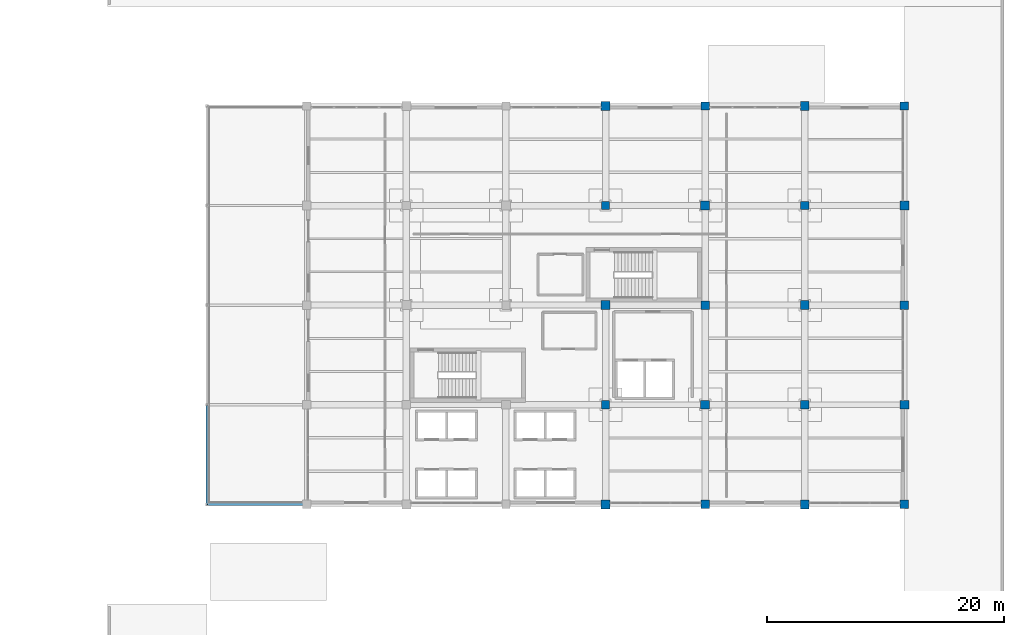
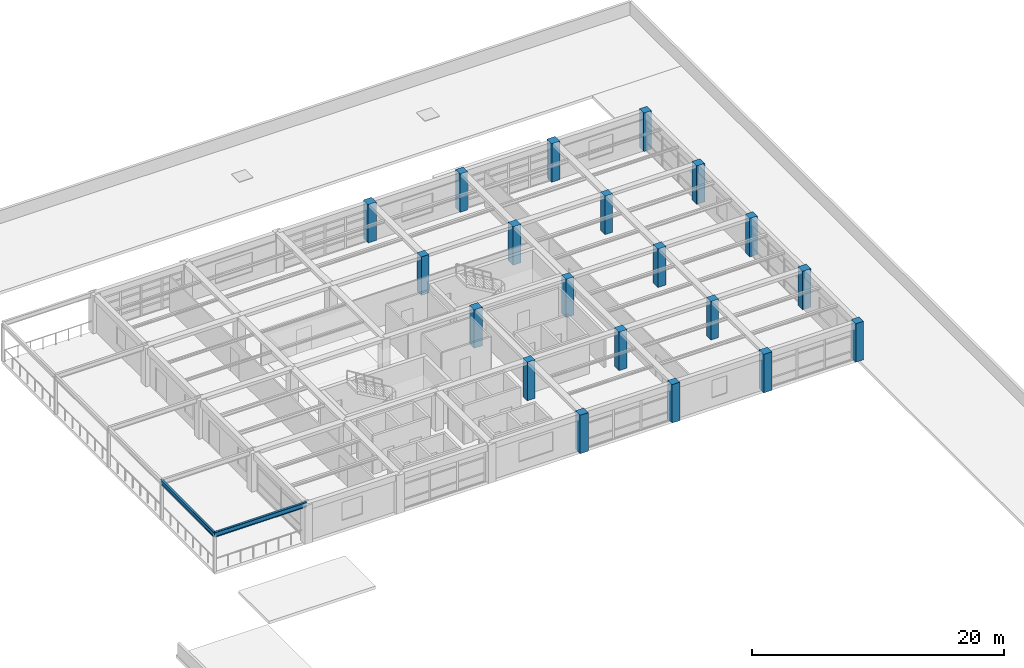
# One storey, part 4 of 35: 20 columns, 2 beams.
"""IFC4 building model written with IfcOpenShell, lengths in metres."""

from ifc_helpers import new_model, si_unit, direction, frame, origin, origin_2d, place, context, subcontext, project, spatial, rectangle, i_section, extrude, material, material_profile, profile_set, type_object, element, save


model = new_model("IFC4")

# Units and contexts
model_context = context("Model", 3, precision=1e-05, world=origin(), true_north=direction((0.0, 1.0)))
body_context = subcontext(model_context, "Body", "Model", "MODEL_VIEW")
ifc_project = project(units=[si_unit("LENGTHUNIT", "METRE"), si_unit("AREAUNIT", "SQUARE_METRE"), si_unit("VOLUMEUNIT", "CUBIC_METRE"), si_unit("PLANEANGLEUNIT", "RADIAN"), si_unit("MASSUNIT", "GRAM", prefix="KILO")], contexts=[model_context])

# Site, building, storey
site_placement = place(None, origin())
site = spatial("IfcSite", under=ifc_project, at=site_placement, CompositionType="ELEMENT")
building_placement = place(site_placement, origin())
building = spatial("IfcBuilding", under=site, at=building_placement, Name="Almacenes y Pasaje Nevantli", CompositionType="ELEMENT")
storey_placement = place(building_placement, frame((0.0, 0.0, 26.699951171875)))
storey = spatial("IfcBuildingStorey", under=building, at=storey_placement, Name="L06", CompositionType="ELEMENT", Elevation=26.699951171875)

# Columns
ifc_material_1 = material(Name="Concrete C45/55", Category="concrete")
ifc_material_profile_1 = material_profile(ifc_material_1, rectangle(XDim=0.699951171875, YDim=0.699951171875, at=origin_2d()), Name="RC-COL-700x700")
ifc_profile_set_1 = profile_set([ifc_material_profile_1], Name="Concrete C45/55")
column_type_1 = type_object("IfcColumnType", Name="COL-RC-700", PredefinedType="COLUMN", material=ifc_profile_set_1)
for number, where, z_axis, x_axis, name in (
    (1, (134.39990234375, 75.60009765625, 0.0), (0.0, 0.0, 1.0), (1.0, 0.0, 0.0), "L06 Reinforced Concrete Column CL-06 #2082"),
    (2, (134.39990234375, 92.39990234375, 0.0), (0.0, 0.0, 1.0), (1.0, 0.0, 0.0), "L06 Reinforced Concrete Column CL-06 #2084"),
    (3, (142.800048828125, 67.199951171875, 0.0), (0.0, 0.0, 1.0), (1.0, 0.0, 0.0), "L06 Reinforced Concrete Column CL-06 #2086"),
    (4, (142.800048828125, 84.0, 0.0), (0.0, 0.0, 1.0), (1.0, 0.0, 0.0), "L06 Reinforced Concrete Column CL-06 #2088"),
    (5, (142.800048828125, 100.800048828125, 0.0), (0.0, 0.0, 1.0), (1.0, 0.0, 0.0), "L06 Reinforced Concrete Column CL-06 #2090"),
    (6, (151.199951171875, 75.60009765625, 0.0), (0.0, 0.0, 1.0), (1.0, 0.0, 0.0), "L06 Reinforced Concrete Column CL-06 #2092"),
    (7, (151.199951171875, 92.39990234375, 0.0), (0.0, 0.0, 1.0), (1.0, 0.0, 0.0), "L06 Reinforced Concrete Column CL-06 #2094"),
    (8, (159.60009765625, 67.199951171875, 0.0), (0.0, 0.0, 1.0), (1.0, 0.0, 0.0), "L06 Reinforced Concrete Column CL-06 #2096"),
    (9, (159.60009765625, 84.0, 0.0), (0.0, 0.0, 1.0), (1.0, 0.0, 0.0), "L06 Reinforced Concrete Column CL-06 #2098"),
    (10, (159.60009765625, 100.800048828125, 0.0), (0.0, 0.0, 1.0), (1.0, 0.0, 0.0), "L06 Reinforced Concrete Column CL-06 #2100"),
):
    element("IfcColumn", number, at=place(storey_placement, frame(where, z_axis=z_axis, x_axis=x_axis)), inside=storey, type_object=column_type_1, Name=name, PredefinedType="COLUMN", context=body_context, shape_type="SweptSolid", body=[
        extrude(rectangle(XDim=0.699951171875, YDim=0.699951171875, at=origin_2d()), origin(), (0.0, 0.0, 1.0), 3.719970703125),
    ])
ifc_material_2 = material(Name="Concrete C45/55", Category="concrete")
ifc_material_profile_2 = material_profile(ifc_material_2, rectangle(XDim=0.75, YDim=0.75, at=origin_2d()), Name="RC-COL-750x750")
ifc_profile_set_2 = profile_set([ifc_material_profile_2], Name="Concrete C45/55")
column_type_2 = type_object("IfcColumnType", Name="COL-RC-750", PredefinedType="COLUMN", material=ifc_profile_set_2)
for number, where, z_axis, x_axis, name in (
    (11, (134.39990234375, 67.199951171875, 0.0), (0.0, 0.0, 1.0), (1.0, 0.0, 0.0), "L06 Reinforced Concrete Column CL-05 #2081"),
    (12, (134.39990234375, 84.0, 0.0), (0.0, 0.0, 1.0), (1.0, 0.0, 0.0), "L06 Reinforced Concrete Column CL-05 #2083"),
    (13, (134.39990234375, 100.800048828125, 0.0), (0.0, 0.0, 1.0), (1.0, 0.0, 0.0), "L06 Reinforced Concrete Column CL-05 #2085"),
    (14, (142.800048828125, 75.60009765625, 0.0), (0.0, 0.0, 1.0), (1.0, 0.0, 0.0), "L06 Reinforced Concrete Column CL-05 #2087"),
    (15, (142.800048828125, 92.39990234375, 0.0), (0.0, 0.0, 1.0), (1.0, 0.0, 0.0), "L06 Reinforced Concrete Column CL-05 #2089"),
    (16, (151.199951171875, 67.199951171875, 0.0), (0.0, 0.0, 1.0), (1.0, 0.0, 0.0), "L06 Reinforced Concrete Column CL-05 #2091"),
    (17, (151.199951171875, 84.0, 0.0), (0.0, 0.0, 1.0), (1.0, 0.0, 0.0), "L06 Reinforced Concrete Column CL-05 #2093"),
    (18, (151.199951171875, 100.800048828125, 0.0), (0.0, 0.0, 1.0), (1.0, 0.0, 0.0), "L06 Reinforced Concrete Column CL-05 #2095"),
    (19, (159.60009765625, 75.60009765625, 0.0), (0.0, 0.0, 1.0), (1.0, 0.0, 0.0), "L06 Reinforced Concrete Column CL-05 #2097"),
    (20, (159.60009765625, 92.39990234375, 0.0), (0.0, 0.0, 1.0), (1.0, 0.0, 0.0), "L06 Reinforced Concrete Column CL-05 #2099"),
):
    element("IfcColumn", number, at=place(storey_placement, frame(where, z_axis=z_axis, x_axis=x_axis)), inside=storey, type_object=column_type_2, Name=name, PredefinedType="COLUMN", context=body_context, shape_type="SweptSolid", body=[
        extrude(rectangle(XDim=0.75, YDim=0.75, at=origin_2d()), origin(), (0.0, 0.0, 1.0), 3.719970703125),
    ])

# Beams
ifc_material_3 = material(Name="Steel ASTM A992", Category="steel")
ifc_material_profile_3 = material_profile(ifc_material_3, i_section(OverallWidth=0.18994140625, OverallDepth=0.45703125, WebThickness=0.009033203125, FlangeThickness=0.014404296875, at=origin_2d()), Name="IR 457x74.4")
ifc_profile_set_3 = profile_set([ifc_material_profile_3], Name="Steel ASTM A992")
beam_type_1 = type_object("IfcBeamType", Name="BM-STL-IR-457x74p4", PredefinedType="BEAM", material=ifc_profile_set_3)
beam_1_placement = place(storey_placement, frame((100.800048828125, 67.199951171875, 3.60009765625), z_axis=(0.0, 1.0, 0.0), x_axis=(-1.0, 0.0, 0.0)))
element("IfcBeam", 21, at=beam_1_placement, inside=storey, type_object=beam_type_1, Name="L06 Ziggurat Terrace Pergola Edge Beam 67", PredefinedType="BEAM", context=body_context, shape_type="SweptSolid", body=[
    extrude(i_section(OverallWidth=0.18994140625, OverallDepth=0.45703125, WebThickness=0.009033203125, FlangeThickness=0.014404296875, at=origin_2d()), origin(), (0.0, 0.0, 1.0), 8.400146484375),
])
ifc_material_4 = material(Name="Steel ASTM A992", Category="steel")
ifc_material_profile_4 = material_profile(ifc_material_4, i_section(OverallWidth=0.193115234375, OverallDepth=0.4599609375, WebThickness=0.011474609375, FlangeThickness=0.01904296875, at=origin_2d()), Name="IR 457x96.7")
ifc_profile_set_4 = profile_set([ifc_material_profile_4], Name="Steel ASTM A992")
beam_type_2 = type_object("IfcBeamType", Name="BM-STL-IR-457x96p7", PredefinedType="BEAM", material=ifc_profile_set_4)
beam_2_placement = place(storey_placement, frame((100.800048828125, 67.199951171875, 3.60009765625), z_axis=(1.0, 0.0, 0.0), x_axis=(0.0, 1.0, 0.0)))
element("IfcBeam", 22, at=beam_2_placement, inside=storey, type_object=beam_type_2, Name="L06 Ziggurat Terrace Pergola Cross Beam 67", PredefinedType="BEAM", context=body_context, shape_type="SweptSolid", body=[
    extrude(i_section(OverallWidth=0.193115234375, OverallDepth=0.4599609375, WebThickness=0.011474609375, FlangeThickness=0.01904296875, at=origin_2d()), origin(), (0.0, 0.0, 1.0), 8.39990234375),
])

save(model, "model.ifc")
